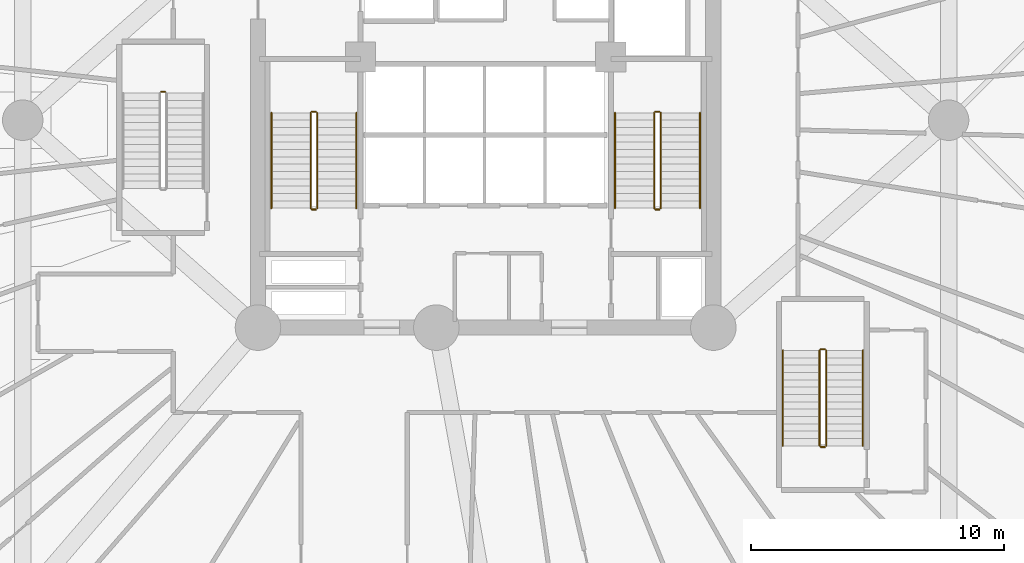
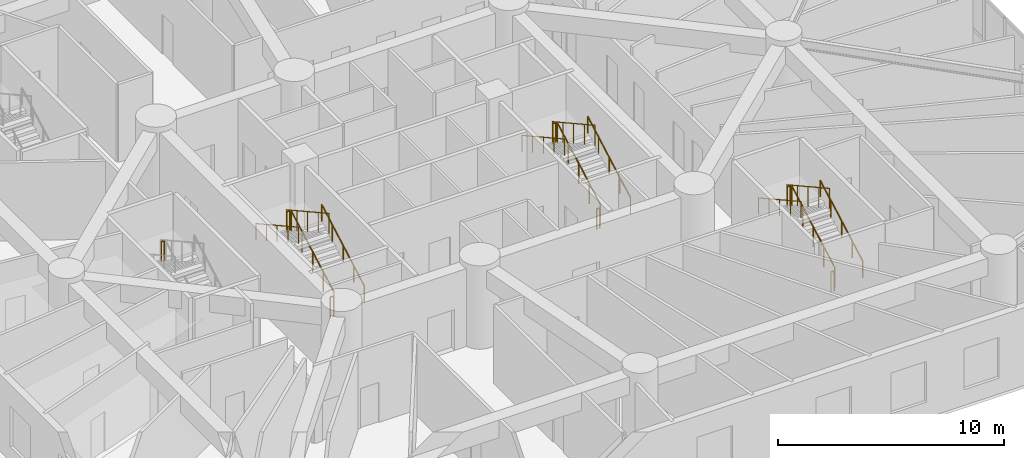
# One storey, part 23 of 26: 19 railings.
"""IFC4 building model written with IfcOpenShell, lengths in metres."""

from ifc_helpers import new_model, si_unit, direction, frame, origin, origin_2d, place, context, subcontext, project, spatial, circle, extrude, material, layer, layer_set, type_object, element, save


model = new_model("IFC4")

# Units and contexts
model_context = context("Model", 3, precision=1e-05, world=origin(), true_north=direction((0.0, 1.0)))
body_context = subcontext(model_context, "Body", "Model", "MODEL_VIEW")
ifc_project = project(units=[si_unit("LENGTHUNIT", "METRE"), si_unit("AREAUNIT", "SQUARE_METRE"), si_unit("VOLUMEUNIT", "CUBIC_METRE"), si_unit("PLANEANGLEUNIT", "RADIAN"), si_unit("MASSUNIT", "GRAM", prefix="KILO")], contexts=[model_context])

# Site, building, storey
site_placement = place(None, origin())
site = spatial("IfcSite", under=ifc_project, at=site_placement, CompositionType="ELEMENT")
building_placement = place(site_placement, origin())
building = spatial("IfcBuilding", under=site, at=building_placement, Name="Karkom Vertical University and Central Library", CompositionType="ELEMENT")
storey_placement = place(building_placement, frame((0.0, 0.0, 9.0)))
storey = spatial("IfcBuildingStorey", under=building, at=storey_placement, Name="L02", CompositionType="ELEMENT", Elevation=9.0)

# Railings
ifc_material_1 = material(Name="Painted galvanised steel balustrade", Category="steel")
ifc_layer_1 = layer(ifc_material_1, 0.06005859375)
ifc_layer_set_1 = layer_set([ifc_layer_1], Name="Painted galvanised steel balustrade")
railing_type_1 = type_object("IfcRailingType", Name="INT-RL-GUARD1100", PredefinedType="GUARDRAIL", material=ifc_layer_set_1)
railing_1_placement = place(storey_placement, frame((21.840087890625, 23.02001953125, 0.16064453125)))
element("IfcRailing", 1, at=railing_1_placement, inside=storey, type_object=railing_type_1, Name="Level 02 ST-1 stair guard 1", PredefinedType="GUARDRAIL", context=body_context, shape_type="SweptSolid", body=[
    extrude(circle(Radius=0.02392578125, at=origin_2d()), frame((0.0, 0.0, 1.076171875), z_axis=(0.0, 0.874659101714, 0.484738543742), x_axis=(-1.0, 0.0, 0.0)), (0.0, 0.0, 1.0), 4.310302734375),
    extrude(circle(Radius=0.02099609375, at=origin_2d()), origin(), (0.0, 0.0, 1.0), 1.052001953125),
    extrude(circle(Radius=0.02099609375, at=origin_2d()), frame((0.0, 0.9423828125, 0.5224609375)), (0.0, 0.0, 1.0), 1.052001953125),
    extrude(circle(Radius=0.02099609375, at=origin_2d()), frame((0.0, 1.885009765625, 1.044677734375)), (0.0, 0.0, 1.0), 1.052001953125),
    extrude(circle(Radius=0.02099609375, at=origin_2d()), frame((0.0, 2.82763671875, 1.56689453125)), (0.0, 0.0, 1.0), 1.052001953125),
    extrude(circle(Radius=0.02099609375, at=origin_2d()), frame((0.0, 3.77001953125, 2.08935546875)), (0.0, 0.0, 1.0), 1.052001953125),
])
railing_2_placement = place(storey_placement, frame((21.7900390625, 26.840087890625, 2.25)))
element("IfcRailing", 2, at=railing_2_placement, inside=storey, type_object=railing_type_1, Name="Level 02 ST-1 stair guard 2", PredefinedType="GUARDRAIL", context=body_context, shape_type="SweptSolid", body=[
    extrude(circle(Radius=0.02392578125, at=origin_2d()), frame((0.0, 0.0, 1.076171875), z_axis=(-1.0, 0.0, 0.0), x_axis=(0.0, -1.0, 0.0)), (0.0, 0.0, 1.0), 0.16015625),
    extrude(circle(Radius=0.02099609375, at=origin_2d()), origin(), (0.0, 0.0, 1.0), 1.052001953125),
    extrude(circle(Radius=0.02099609375, at=origin_2d()), frame((-0.16015625, 0.0, 0.0)), (0.0, 0.0, 1.0), 1.052001953125),
])
railing_3_placement = place(storey_placement, frame((21.580078125, 26.7900390625, 2.41064453125)))
element("IfcRailing", 3, at=railing_3_placement, inside=storey, type_object=railing_type_1, Name="Level 02 ST-1 stair guard 3", PredefinedType="GUARDRAIL", context=body_context, shape_type="SweptSolid", body=[
    extrude(circle(Radius=0.02392578125, at=origin_2d()), frame((0.0, 0.0, 1.076171875), z_axis=(0.0, -0.874659101714, 0.484738543742), x_axis=(1.0, 0.0, 0.0)), (0.0, 0.0, 1.0), 4.310302734375),
    extrude(circle(Radius=0.02099609375, at=origin_2d()), origin(), (0.0, 0.0, 1.0), 1.052001953125),
    extrude(circle(Radius=0.02099609375, at=origin_2d()), frame((0.0, -0.9423828125, 0.5224609375)), (0.0, 0.0, 1.0), 1.052001953125),
    extrude(circle(Radius=0.02099609375, at=origin_2d()), frame((0.0, -1.885009765625, 1.044677734375)), (0.0, 0.0, 1.0), 1.052001953125),
    extrude(circle(Radius=0.02099609375, at=origin_2d()), frame((0.0, -2.82763671875, 1.56689453125)), (0.0, 0.0, 1.0), 1.052001953125),
    extrude(circle(Radius=0.02099609375, at=origin_2d()), frame((0.0, -3.77001953125, 2.08935546875)), (0.0, 0.0, 1.0), 1.052001953125),
])
railing_4_placement = place(storey_placement, frame((21.7900390625, 22.969970703125, 0.0)))
element("IfcRailing", 4, at=railing_4_placement, inside=storey, type_object=railing_type_1, Name="Level 02 ST-1 stair guard 4", PredefinedType="GUARDRAIL", context=body_context, shape_type="SweptSolid", body=[
    extrude(circle(Radius=0.02392578125, at=origin_2d()), frame((0.0, 0.0, 1.076171875), z_axis=(-1.0, 0.0, 0.0), x_axis=(0.0, -1.0, 0.0)), (0.0, 0.0, 1.0), 0.16015625),
    extrude(circle(Radius=0.02099609375, at=origin_2d()), origin(), (0.0, 0.0, 1.0), 1.052001953125),
    extrude(circle(Radius=0.02099609375, at=origin_2d()), frame((-0.16015625, 0.0, 0.0)), (0.0, 0.0, 1.0), 1.052001953125),
])
railing_5_placement = place(storey_placement, frame((35.419921875, 23.02001953125, 0.16064453125)))
element("IfcRailing", 5, at=railing_5_placement, inside=storey, type_object=railing_type_1, Name="Level 02 ST-2 stair guard 1", PredefinedType="GUARDRAIL", context=body_context, shape_type="SweptSolid", body=[
    extrude(circle(Radius=0.02392578125, at=origin_2d()), frame((0.0, 0.0, 1.076171875), z_axis=(0.0, 0.874659101714, 0.484738543742), x_axis=(-1.0, 0.0, 0.0)), (0.0, 0.0, 1.0), 4.310302734375),
    extrude(circle(Radius=0.02099609375, at=origin_2d()), origin(), (0.0, 0.0, 1.0), 1.052001953125),
    extrude(circle(Radius=0.02099609375, at=origin_2d()), frame((0.0, 0.9423828125, 0.5224609375)), (0.0, 0.0, 1.0), 1.052001953125),
    extrude(circle(Radius=0.02099609375, at=origin_2d()), frame((0.0, 1.885009765625, 1.044677734375)), (0.0, 0.0, 1.0), 1.052001953125),
    extrude(circle(Radius=0.02099609375, at=origin_2d()), frame((0.0, 2.82763671875, 1.56689453125)), (0.0, 0.0, 1.0), 1.052001953125),
    extrude(circle(Radius=0.02099609375, at=origin_2d()), frame((0.0, 3.77001953125, 2.08935546875)), (0.0, 0.0, 1.0), 1.052001953125),
])
railing_6_placement = place(storey_placement, frame((35.3701171875, 26.840087890625, 2.25)))
element("IfcRailing", 6, at=railing_6_placement, inside=storey, type_object=railing_type_1, Name="Level 02 ST-2 stair guard 2", PredefinedType="GUARDRAIL", context=body_context, shape_type="SweptSolid", body=[
    extrude(circle(Radius=0.02392578125, at=origin_2d()), frame((0.0, 0.0, 1.076171875), z_axis=(-1.0, 0.0, 0.0), x_axis=(0.0, -1.0, 0.0)), (0.0, 0.0, 1.0), 0.16015625),
    extrude(circle(Radius=0.02099609375, at=origin_2d()), origin(), (0.0, 0.0, 1.0), 1.052001953125),
    extrude(circle(Radius=0.02099609375, at=origin_2d()), frame((-0.16015625, 0.0, 0.0)), (0.0, 0.0, 1.0), 1.052001953125),
])
railing_7_placement = place(storey_placement, frame((35.159912109375, 26.7900390625, 2.41064453125)))
element("IfcRailing", 7, at=railing_7_placement, inside=storey, type_object=railing_type_1, Name="Level 02 ST-2 stair guard 3", PredefinedType="GUARDRAIL", context=body_context, shape_type="SweptSolid", body=[
    extrude(circle(Radius=0.02392578125, at=origin_2d()), frame((0.0, 0.0, 1.076171875), z_axis=(0.0, -0.874659101714, 0.484738543742), x_axis=(1.0, 0.0, 0.0)), (0.0, 0.0, 1.0), 4.310302734375),
    extrude(circle(Radius=0.02099609375, at=origin_2d()), origin(), (0.0, 0.0, 1.0), 1.052001953125),
    extrude(circle(Radius=0.02099609375, at=origin_2d()), frame((0.0, -0.9423828125, 0.5224609375)), (0.0, 0.0, 1.0), 1.052001953125),
    extrude(circle(Radius=0.02099609375, at=origin_2d()), frame((0.0, -1.885009765625, 1.044677734375)), (0.0, 0.0, 1.0), 1.052001953125),
    extrude(circle(Radius=0.02099609375, at=origin_2d()), frame((0.0, -2.82763671875, 1.56689453125)), (0.0, 0.0, 1.0), 1.052001953125),
    extrude(circle(Radius=0.02099609375, at=origin_2d()), frame((0.0, -3.77001953125, 2.08935546875)), (0.0, 0.0, 1.0), 1.052001953125),
])
for number, where, name in (
    (8, (35.3701171875, 22.969970703125, 0.0), "Level 02 ST-2 stair guard 4"),
    (9, (15.830078125, 27.6201171875, 2.25), "Level 02 ST-3 stair guard 2"),
):
    element("IfcRailing", number, at=place(storey_placement, frame(where)), inside=storey, type_object=railing_type_1, Name=name, PredefinedType="GUARDRAIL", context=body_context, shape_type="SweptSolid", body=[
        extrude(circle(Radius=0.02392578125, at=origin_2d()), frame((0.0, 0.0, 1.076171875), z_axis=(-1.0, 0.0, 0.0), x_axis=(0.0, -1.0, 0.0)), (0.0, 0.0, 1.0), 0.16015625),
        extrude(circle(Radius=0.02099609375, at=origin_2d()), origin(), (0.0, 0.0, 1.0), 1.052001953125),
        extrude(circle(Radius=0.02099609375, at=origin_2d()), frame((-0.16015625, 0.0, 0.0)), (0.0, 0.0, 1.0), 1.052001953125),
    ])
railing_8_placement = place(storey_placement, frame((41.9599609375, 13.6298828125, 0.16064453125)))
element("IfcRailing", 10, at=railing_8_placement, inside=storey, type_object=railing_type_1, Name="Level 02 POD-ST1 stair guard 1", PredefinedType="GUARDRAIL", context=body_context, shape_type="SweptSolid", body=[
    extrude(circle(Radius=0.02392578125, at=origin_2d()), frame((0.0, 0.0, 1.076171875), z_axis=(0.0, 0.874659101714, 0.484738543742), x_axis=(-1.0, 0.0, 0.0)), (0.0, 0.0, 1.0), 4.310302734375),
    extrude(circle(Radius=0.02099609375, at=origin_2d()), origin(), (0.0, 0.0, 1.0), 1.052001953125),
    extrude(circle(Radius=0.02099609375, at=origin_2d()), frame((0.0, 0.9423828125, 0.5224609375)), (0.0, 0.0, 1.0), 1.052001953125),
    extrude(circle(Radius=0.02099609375, at=origin_2d()), frame((0.0, 1.885009765625, 1.044677734375)), (0.0, 0.0, 1.0), 1.052001953125),
    extrude(circle(Radius=0.02099609375, at=origin_2d()), frame((0.0, 2.82763671875, 1.56689453125)), (0.0, 0.0, 1.0), 1.052001953125),
    extrude(circle(Radius=0.02099609375, at=origin_2d()), frame((0.0, 3.77001953125, 2.08935546875)), (0.0, 0.0, 1.0), 1.052001953125),
])
railing_9_placement = place(storey_placement, frame((41.909912109375, 17.449951171875, 2.25)))
element("IfcRailing", 11, at=railing_9_placement, inside=storey, type_object=railing_type_1, Name="Level 02 POD-ST1 stair guard 2", PredefinedType="GUARDRAIL", context=body_context, shape_type="SweptSolid", body=[
    extrude(circle(Radius=0.02392578125, at=origin_2d()), frame((0.0, 0.0, 1.076171875), z_axis=(-1.0, 0.0, 0.0), x_axis=(0.0, -1.0, 0.0)), (0.0, 0.0, 1.0), 0.159912109375),
    extrude(circle(Radius=0.02099609375, at=origin_2d()), origin(), (0.0, 0.0, 1.0), 1.052001953125),
    extrude(circle(Radius=0.02099609375, at=origin_2d()), frame((-0.159912109375, 0.0, 0.0)), (0.0, 0.0, 1.0), 1.052001953125),
])
railing_10_placement = place(storey_placement, frame((41.699951171875, 17.39990234375, 2.41064453125)))
element("IfcRailing", 12, at=railing_10_placement, inside=storey, type_object=railing_type_1, Name="Level 02 POD-ST1 stair guard 3", PredefinedType="GUARDRAIL", context=body_context, shape_type="SweptSolid", body=[
    extrude(circle(Radius=0.02392578125, at=origin_2d()), frame((0.0, 0.0, 1.076171875), z_axis=(0.0, -0.874659101714, 0.484738543742), x_axis=(1.0, 0.0, 0.0)), (0.0, 0.0, 1.0), 4.310302734375),
    extrude(circle(Radius=0.02099609375, at=origin_2d()), origin(), (0.0, 0.0, 1.0), 1.052001953125),
    extrude(circle(Radius=0.02099609375, at=origin_2d()), frame((0.0, -0.9423828125, 0.5224609375)), (0.0, 0.0, 1.0), 1.052001953125),
    extrude(circle(Radius=0.02099609375, at=origin_2d()), frame((0.0, -1.885009765625, 1.044677734375)), (0.0, 0.0, 1.0), 1.052001953125),
    extrude(circle(Radius=0.02099609375, at=origin_2d()), frame((0.0, -2.82763671875, 1.56689453125)), (0.0, 0.0, 1.0), 1.052001953125),
    extrude(circle(Radius=0.02099609375, at=origin_2d()), frame((0.0, -3.77001953125, 2.08935546875)), (0.0, 0.0, 1.0), 1.052001953125),
])
railing_11_placement = place(storey_placement, frame((41.909912109375, 13.580078125, 0.0)))
element("IfcRailing", 13, at=railing_11_placement, inside=storey, type_object=railing_type_1, Name="Level 02 POD-ST1 stair guard 4", PredefinedType="GUARDRAIL", context=body_context, shape_type="SweptSolid", body=[
    extrude(circle(Radius=0.02392578125, at=origin_2d()), frame((0.0, 0.0, 1.076171875), z_axis=(-1.0, 0.0, 0.0), x_axis=(0.0, -1.0, 0.0)), (0.0, 0.0, 1.0), 0.159912109375),
    extrude(circle(Radius=0.02099609375, at=origin_2d()), origin(), (0.0, 0.0, 1.0), 1.052001953125),
    extrude(circle(Radius=0.02099609375, at=origin_2d()), frame((-0.159912109375, 0.0, 0.0)), (0.0, 0.0, 1.0), 1.052001953125),
])
ifc_material_2 = material(Name="Brushed stainless-steel tubular handrail", Category="steel")
ifc_layer_2 = layer(ifc_material_2, 0.048095703125)
ifc_layer_set_2 = layer_set([ifc_layer_2], Name="Brushed stainless-steel tubular handrail")
railing_type_2 = type_object("IfcRailingType", Name="INT-RL-HAND920", PredefinedType="HANDRAIL", material=ifc_layer_set_2)
railing_12_placement = place(storey_placement, frame((23.389892578125, 23.02001953125, 0.16064453125)))
element("IfcRailing", 14, at=railing_12_placement, inside=storey, type_object=railing_type_2, Name="Level 02 ST-1 stair handrail 1", PredefinedType="HANDRAIL", context=body_context, shape_type="SweptSolid", body=[
    extrude(circle(Radius=0.02392578125, at=origin_2d()), frame((0.0, 0.0, 0.8759765625), z_axis=(0.0, 0.874659101714, 0.484738543742), x_axis=(-1.0, 0.0, 0.0)), (0.0, 0.0, 1.0), 4.310302734375),
    extrude(circle(Radius=0.02099609375, at=origin_2d()), origin(), (0.0, 0.0, 1.0), 0.851806640625),
    extrude(circle(Radius=0.02099609375, at=origin_2d()), frame((0.0, 0.9423828125, 0.5224609375)), (0.0, 0.0, 1.0), 0.851806640625),
    extrude(circle(Radius=0.02099609375, at=origin_2d()), frame((0.0, 1.885009765625, 1.044677734375)), (0.0, 0.0, 1.0), 0.851806640625),
    extrude(circle(Radius=0.02099609375, at=origin_2d()), frame((0.0, 2.82763671875, 1.56689453125)), (0.0, 0.0, 1.0), 0.851806640625),
    extrude(circle(Radius=0.02099609375, at=origin_2d()), frame((0.0, 3.77001953125, 2.08935546875)), (0.0, 0.0, 1.0), 0.851806640625),
])
railing_13_placement = place(storey_placement, frame((20.030029296875, 26.7900390625, 2.41064453125)))
element("IfcRailing", 15, at=railing_13_placement, inside=storey, type_object=railing_type_2, Name="Level 02 ST-1 stair handrail 2", PredefinedType="HANDRAIL", context=body_context, shape_type="SweptSolid", body=[
    extrude(circle(Radius=0.02392578125, at=origin_2d()), frame((0.0, 0.0, 0.8759765625), z_axis=(0.0, -0.874659101714, 0.484738543742), x_axis=(1.0, 0.0, 0.0)), (0.0, 0.0, 1.0), 4.310302734375),
    extrude(circle(Radius=0.02099609375, at=origin_2d()), origin(), (0.0, 0.0, 1.0), 0.851806640625),
    extrude(circle(Radius=0.02099609375, at=origin_2d()), frame((0.0, -0.9423828125, 0.5224609375)), (0.0, 0.0, 1.0), 0.851806640625),
    extrude(circle(Radius=0.02099609375, at=origin_2d()), frame((0.0, -1.885009765625, 1.044677734375)), (0.0, 0.0, 1.0), 0.851806640625),
    extrude(circle(Radius=0.02099609375, at=origin_2d()), frame((0.0, -2.82763671875, 1.56689453125)), (0.0, 0.0, 1.0), 0.851806640625),
    extrude(circle(Radius=0.02099609375, at=origin_2d()), frame((0.0, -3.77001953125, 2.08935546875)), (0.0, 0.0, 1.0), 0.851806640625),
])
railing_14_placement = place(storey_placement, frame((36.969970703125, 23.02001953125, 0.16064453125)))
element("IfcRailing", 16, at=railing_14_placement, inside=storey, type_object=railing_type_2, Name="Level 02 ST-2 stair handrail 1", PredefinedType="HANDRAIL", context=body_context, shape_type="SweptSolid", body=[
    extrude(circle(Radius=0.02392578125, at=origin_2d()), frame((0.0, 0.0, 0.8759765625), z_axis=(0.0, 0.874659101714, 0.484738543742), x_axis=(-1.0, 0.0, 0.0)), (0.0, 0.0, 1.0), 4.310302734375),
    extrude(circle(Radius=0.02099609375, at=origin_2d()), origin(), (0.0, 0.0, 1.0), 0.851806640625),
    extrude(circle(Radius=0.02099609375, at=origin_2d()), frame((0.0, 0.9423828125, 0.5224609375)), (0.0, 0.0, 1.0), 0.851806640625),
    extrude(circle(Radius=0.02099609375, at=origin_2d()), frame((0.0, 1.885009765625, 1.044677734375)), (0.0, 0.0, 1.0), 0.851806640625),
    extrude(circle(Radius=0.02099609375, at=origin_2d()), frame((0.0, 2.82763671875, 1.56689453125)), (0.0, 0.0, 1.0), 0.851806640625),
    extrude(circle(Radius=0.02099609375, at=origin_2d()), frame((0.0, 3.77001953125, 2.08935546875)), (0.0, 0.0, 1.0), 0.851806640625),
])
railing_15_placement = place(storey_placement, frame((33.610107421875, 26.7900390625, 2.41064453125)))
element("IfcRailing", 17, at=railing_15_placement, inside=storey, type_object=railing_type_2, Name="Level 02 ST-2 stair handrail 2", PredefinedType="HANDRAIL", context=body_context, shape_type="SweptSolid", body=[
    extrude(circle(Radius=0.02392578125, at=origin_2d()), frame((0.0, 0.0, 0.8759765625), z_axis=(0.0, -0.874659101714, 0.484738543742), x_axis=(1.0, 0.0, 0.0)), (0.0, 0.0, 1.0), 4.310302734375),
    extrude(circle(Radius=0.02099609375, at=origin_2d()), origin(), (0.0, 0.0, 1.0), 0.851806640625),
    extrude(circle(Radius=0.02099609375, at=origin_2d()), frame((0.0, -0.9423828125, 0.5224609375)), (0.0, 0.0, 1.0), 0.851806640625),
    extrude(circle(Radius=0.02099609375, at=origin_2d()), frame((0.0, -1.885009765625, 1.044677734375)), (0.0, 0.0, 1.0), 0.851806640625),
    extrude(circle(Radius=0.02099609375, at=origin_2d()), frame((0.0, -2.82763671875, 1.56689453125)), (0.0, 0.0, 1.0), 0.851806640625),
    extrude(circle(Radius=0.02099609375, at=origin_2d()), frame((0.0, -3.77001953125, 2.08935546875)), (0.0, 0.0, 1.0), 0.851806640625),
])
railing_16_placement = place(storey_placement, frame((43.409912109375, 13.6298828125, 0.16064453125)))
element("IfcRailing", 18, at=railing_16_placement, inside=storey, type_object=railing_type_2, Name="Level 02 POD-ST1 stair handrail 1", PredefinedType="HANDRAIL", context=body_context, shape_type="SweptSolid", body=[
    extrude(circle(Radius=0.02392578125, at=origin_2d()), frame((0.0, 0.0, 0.8759765625), z_axis=(0.0, 0.874659101714, 0.484738543742), x_axis=(-1.0, 0.0, 0.0)), (0.0, 0.0, 1.0), 4.310302734375),
    extrude(circle(Radius=0.02099609375, at=origin_2d()), origin(), (0.0, 0.0, 1.0), 0.851806640625),
    extrude(circle(Radius=0.02099609375, at=origin_2d()), frame((0.0, 0.9423828125, 0.5224609375)), (0.0, 0.0, 1.0), 0.851806640625),
    extrude(circle(Radius=0.02099609375, at=origin_2d()), frame((0.0, 1.885009765625, 1.044677734375)), (0.0, 0.0, 1.0), 0.851806640625),
    extrude(circle(Radius=0.02099609375, at=origin_2d()), frame((0.0, 2.82763671875, 1.56689453125)), (0.0, 0.0, 1.0), 0.851806640625),
    extrude(circle(Radius=0.02099609375, at=origin_2d()), frame((0.0, 3.77001953125, 2.08935546875)), (0.0, 0.0, 1.0), 0.851806640625),
])
railing_17_placement = place(storey_placement, frame((40.25, 17.39990234375, 2.41064453125)))
element("IfcRailing", 19, at=railing_17_placement, inside=storey, type_object=railing_type_2, Name="Level 02 POD-ST1 stair handrail 2", PredefinedType="HANDRAIL", context=body_context, shape_type="SweptSolid", body=[
    extrude(circle(Radius=0.02392578125, at=origin_2d()), frame((0.0, 0.0, 0.8759765625), z_axis=(0.0, -0.874659101714, 0.484738543742), x_axis=(1.0, 0.0, 0.0)), (0.0, 0.0, 1.0), 4.310302734375),
    extrude(circle(Radius=0.02099609375, at=origin_2d()), origin(), (0.0, 0.0, 1.0), 0.851806640625),
    extrude(circle(Radius=0.02099609375, at=origin_2d()), frame((0.0, -0.9423828125, 0.5224609375)), (0.0, 0.0, 1.0), 0.851806640625),
    extrude(circle(Radius=0.02099609375, at=origin_2d()), frame((0.0, -1.885009765625, 1.044677734375)), (0.0, 0.0, 1.0), 0.851806640625),
    extrude(circle(Radius=0.02099609375, at=origin_2d()), frame((0.0, -2.82763671875, 1.56689453125)), (0.0, 0.0, 1.0), 0.851806640625),
    extrude(circle(Radius=0.02099609375, at=origin_2d()), frame((0.0, -3.77001953125, 2.08935546875)), (0.0, 0.0, 1.0), 0.851806640625),
])

save(model, "model.ifc")
